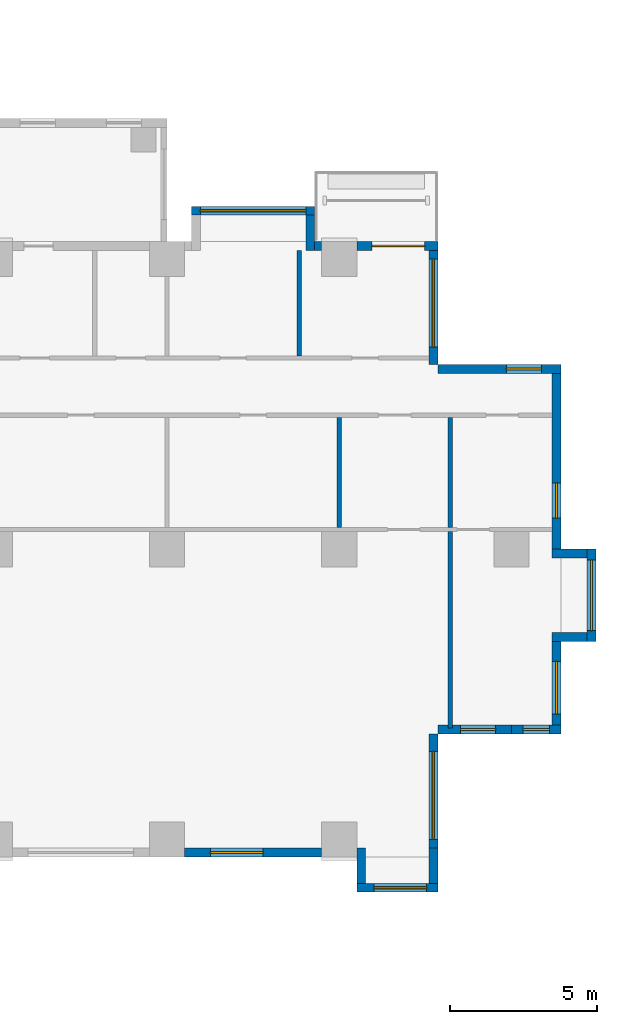
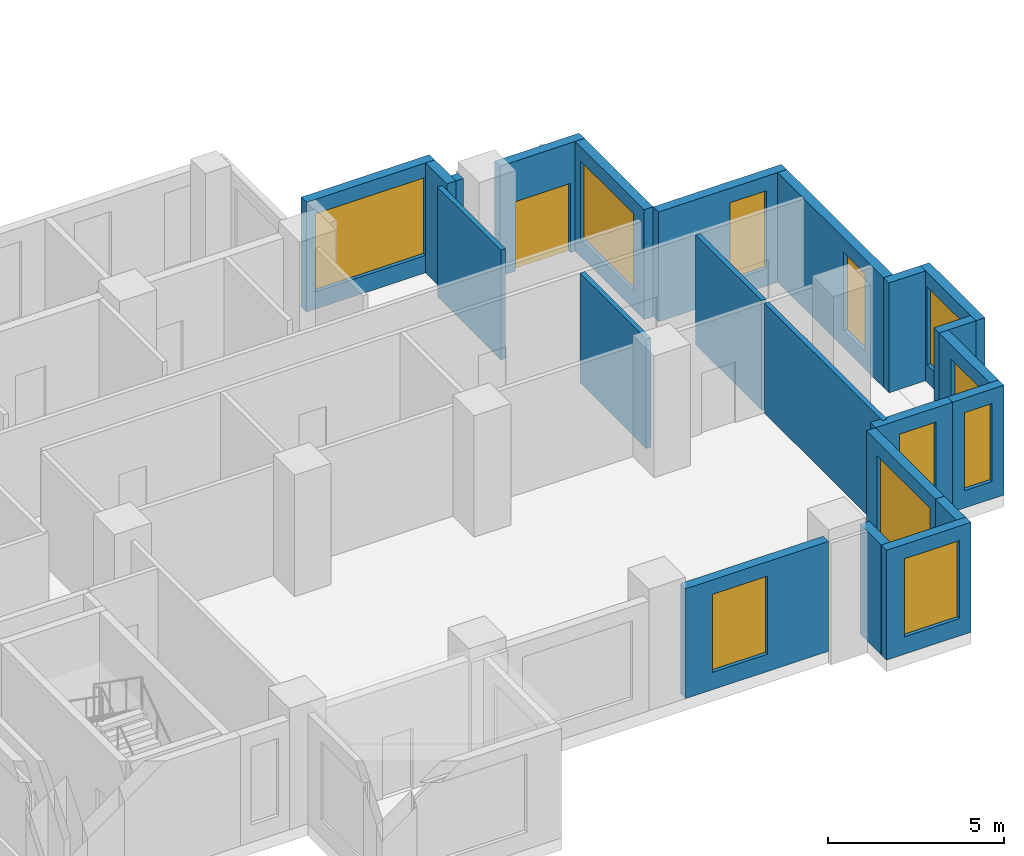
# One storey, part 11 of 17: 22 walls, 11 windows, 1 door, 12 openings.
"""IFC4 building model written with IfcOpenShell, lengths in metres."""

from ifc_helpers import new_model, si_unit, direction, frame, frame_2d, origin, place, context, subcontext, project, spatial, rectangle, extrude, source, transform, mapped, material, layer, layer_set, type_object, element, fill, save


model = new_model("IFC4")

# Units and contexts
model_context = context("Model", 3, precision=1e-05, world=origin(), true_north=direction((0.0, 1.0)))
body_context = subcontext(model_context, "Body", "Model", "MODEL_VIEW")
ifc_project = project(units=[si_unit("LENGTHUNIT", "METRE"), si_unit("AREAUNIT", "SQUARE_METRE"), si_unit("VOLUMEUNIT", "CUBIC_METRE"), si_unit("PLANEANGLEUNIT", "RADIAN"), si_unit("MASSUNIT", "GRAM", prefix="KILO")], contexts=[model_context])

# Site, building, storey
site_placement = place(None, origin())
site = spatial("IfcSite", under=ifc_project, at=site_placement, CompositionType="ELEMENT")
building_placement = place(site_placement, origin())
building = spatial("IfcBuilding", under=site, at=building_placement, Name="Aurelian Terraces", CompositionType="ELEMENT")
storey_placement = place(building_placement, frame((0.0, 0.0, 48.9)))
storey = spatial("IfcBuildingStorey", under=building, at=storey_placement, Name="L09", CompositionType="ELEMENT", Elevation=48.9)

# Wall, opening, window
ifc_material_1 = material(Name="Terracotta rainscreen cladding", Category="masonry")
ifc_layer_1 = layer(ifc_material_1, 0.3)
ifc_layer_set_1 = layer_set([ifc_layer_1], Name="EW-300")
wall_type_1 = type_object("IfcWallType", Name="EW-300", PredefinedType="STANDARD", material=ifc_layer_set_1)
shared_shape_1 = source(origin(), body_context, "Body", "SweptSolid", [
    extrude(rectangle(XDim=4.68, YDim=0.3, at=frame_2d((2.34, 0.0))), origin(), (0.0, 0.0, 1.0), 3.8),
])
wall_1_placement = place(storey_placement, frame((58.56, 0.15, 0.0), z_axis=(0.0, 0.0, 1.0), x_axis=(1.0, 0.0, 0.0)))
wall_1 = element("IfcWall", 1, at=wall_1_placement, inside=storey, type_object=wall_type_1, Name="External wall L09 F05.12", PredefinedType="STANDARD", context=body_context, shape_type="MappedRepresentation", body=[
    mapped(shared_shape_1, transform((0.0, 0.0, 0.0), scale=1.0)),
])
shared_shape_2 = source(origin(), body_context, "Body", "SweptSolid", [
    extrude(rectangle(XDim=1.8, YDim=2.7, at=frame_2d((0.9, 1.35))), frame((0.0, 0.16, 0.0), z_axis=(0.0, -1.0, 0.0), x_axis=(1.0, 0.0, 0.0)), (0.0, 0.0, 1.0), 0.32),
])
opening_1_placement = place(wall_1_placement, frame((0.8775, 0.0, 0.6)))
opening_1 = element("IfcOpeningElement", 2, at=opening_1_placement, cuts=wall_1, Name="Opening W1827", PredefinedType="OPENING", context=body_context, shape_type="MappedRepresentation", body=[
    mapped(shared_shape_2, transform((0.0, 0.0, 0.0), scale=1.0)),
])
ifc_material_2 = material(Name="Clear glazing", Category="glass")
window_type_1 = type_object("IfcWindowType", Name="W-1800x2700", PartitioningType="SINGLE_PANEL", PredefinedType="WINDOW", material=ifc_material_2)
shared_shape_3 = source(origin(), body_context, "Body", "SweptSolid", [
    extrude(rectangle(XDim=1.8, YDim=2.7, at=frame_2d((0.9, 1.35))), frame((0.0, 0.03, 0.0), z_axis=(0.0, -1.0, 0.0), x_axis=(1.0, 0.0, 0.0)), (0.0, 0.0, 1.0), 0.06),
])
window_1_placement = place(opening_1_placement, origin())
window_1 = element("IfcWindow", 3, at=window_1_placement, inside=storey, type_object=window_type_1, Name="Window L09 L09-F05-12-0", OverallHeight=2.7, OverallWidth=1.8, PartitioningType="SINGLE_PANEL", PredefinedType="WINDOW", context=body_context, shape_type="MappedRepresentation", body=[
    mapped(shared_shape_3, transform((0.0, 0.0, 0.0), scale=1.0)),
])
fill(opening_1, window_1)

shared_shape_4 = source(origin(), body_context, "Body", "SweptSolid", [
    extrude(rectangle(XDim=3.15, YDim=0.3, at=frame_2d((1.575, 0.0))), origin(), (0.0, 0.0, 1.0), 3.8),
])
wall_2_placement = place(storey_placement, frame((71.25, 4.2, 0.0), z_axis=(0.0, 0.0, 1.0), x_axis=(0.0, 1.0, 0.0)))
wall_2 = element("IfcWall", 4, at=wall_2_placement, inside=storey, type_object=wall_type_1, Name="External wall L09 F08.17", PredefinedType="STANDARD", context=body_context, shape_type="MappedRepresentation", body=[
    mapped(shared_shape_4, transform((0.0, 0.0, 0.0), scale=1.0)),
])
opening_2_placement = place(wall_2_placement, frame((0.675, 0.0, 0.6)))
opening_2 = element("IfcOpeningElement", 5, at=opening_2_placement, cuts=wall_2, Name="Opening W1827", PredefinedType="OPENING", context=body_context, shape_type="MappedRepresentation", body=[
    mapped(shared_shape_2, transform((0.0, 0.0, 0.0), scale=1.0)),
])
window_2_placement = place(opening_2_placement, origin())
window_2 = element("IfcWindow", 6, at=window_2_placement, inside=storey, type_object=window_type_1, Name="Window L09 L09-F08-17-0", OverallHeight=2.7, OverallWidth=1.8, PartitioningType="SINGLE_PANEL", PredefinedType="WINDOW", context=body_context, shape_type="MappedRepresentation", body=[
    mapped(shared_shape_3, transform((0.0, 0.0, 0.0), scale=1.0)),
])
fill(opening_2, window_2)

wall_3_placement = place(storey_placement, frame((72.45, 7.35, 0.0), z_axis=(0.0, 0.0, 1.0), x_axis=(0.0, 1.0, 0.0)))
wall_3 = element("IfcWall", 7, at=wall_3_placement, inside=storey, type_object=wall_type_1, Name="Bay wall L09 F08.18", PredefinedType="STANDARD", context=body_context, shape_type="MappedRepresentation", body=[
    mapped(shared_shape_4, transform((0.0, 0.0, 0.0), scale=1.0)),
])
shared_shape_5 = source(origin(), body_context, "Body", "SweptSolid", [
    extrude(rectangle(XDim=2.4, YDim=2.7, at=frame_2d((1.2, 1.35))), frame((0.0, 0.16, 0.0), z_axis=(0.0, -1.0, 0.0), x_axis=(1.0, 0.0, 0.0)), (0.0, 0.0, 1.0), 0.32),
])
opening_3_placement = place(wall_3_placement, frame((0.375, 0.0, 0.6)))
opening_3 = element("IfcOpeningElement", 8, at=opening_3_placement, cuts=wall_3, Name="Opening W2427", PredefinedType="OPENING", context=body_context, shape_type="MappedRepresentation", body=[
    mapped(shared_shape_5, transform((0.0, 0.0, 0.0), scale=1.0)),
])
window_type_2 = type_object("IfcWindowType", Name="W-2400x2700", PartitioningType="SINGLE_PANEL", PredefinedType="WINDOW", material=ifc_material_2)
shared_shape_6 = source(origin(), body_context, "Body", "SweptSolid", [
    extrude(rectangle(XDim=2.4, YDim=2.7, at=frame_2d((1.2, 1.35))), frame((0.0, 0.03, 0.0), z_axis=(0.0, -1.0, 0.0), x_axis=(1.0, 0.0, 0.0)), (0.0, 0.0, 1.0), 0.06),
])
window_3_placement = place(opening_3_placement, origin())
window_3 = element("IfcWindow", 9, at=window_3_placement, inside=storey, type_object=window_type_2, Name="Window L09 L09-F08-18-0", OverallHeight=2.7, OverallWidth=2.4, PartitioningType="SINGLE_PANEL", PredefinedType="WINDOW", context=body_context, shape_type="MappedRepresentation", body=[
    mapped(shared_shape_6, transform((0.0, 0.0, 0.0), scale=1.0)),
])
fill(opening_3, window_3)

shared_shape_7 = source(origin(), body_context, "Body", "SweptSolid", [
    extrude(rectangle(XDim=4.2, YDim=0.3, at=frame_2d((2.1, 0.0))), origin(), (0.0, 0.0, 1.0), 3.8),
])
wall_4_placement = place(storey_placement, frame((67.05, 0.0, 0.0), z_axis=(0.0, 0.0, 1.0), x_axis=(0.0, 1.0, 0.0)))
wall_4 = element("IfcWall", 10, at=wall_4_placement, inside=storey, type_object=wall_type_1, Name="External wall L09 F06.14", PredefinedType="STANDARD", context=body_context, shape_type="MappedRepresentation", body=[
    mapped(shared_shape_7, transform((0.0, 0.0, 0.0), scale=1.0)),
])
shared_shape_8 = source(origin(), body_context, "Body", "SweptSolid", [
    extrude(rectangle(XDim=3.0, YDim=2.7, at=frame_2d((1.5, 1.35))), frame((0.0, 0.16, 0.0), z_axis=(0.0, -1.0, 0.0), x_axis=(1.0, 0.0, 0.0)), (0.0, 0.0, 1.0), 0.32),
])
opening_4_placement = place(wall_4_placement, frame((0.6, 0.0, 0.6)))
opening_4 = element("IfcOpeningElement", 11, at=opening_4_placement, cuts=wall_4, Name="Opening W3027", PredefinedType="OPENING", context=body_context, shape_type="MappedRepresentation", body=[
    mapped(shared_shape_8, transform((0.0, 0.0, 0.0), scale=1.0)),
])
window_type_3 = type_object("IfcWindowType", Name="W-3000x2700", PartitioningType="SINGLE_PANEL", PredefinedType="WINDOW", material=ifc_material_2)
shared_shape_9 = source(origin(), body_context, "Body", "SweptSolid", [
    extrude(rectangle(XDim=3.0, YDim=2.7, at=frame_2d((1.5, 1.35))), frame((0.0, 0.03, 0.0), z_axis=(0.0, -1.0, 0.0), x_axis=(1.0, 0.0, 0.0)), (0.0, 0.0, 1.0), 0.06),
])
window_4_placement = place(opening_4_placement, origin())
window_4 = element("IfcWindow", 12, at=window_4_placement, inside=storey, type_object=window_type_3, Name="Window L09 L09-F06-14-0", OverallHeight=2.7, OverallWidth=3.0, PartitioningType="SINGLE_PANEL", PredefinedType="WINDOW", context=body_context, shape_type="MappedRepresentation", body=[
    mapped(shared_shape_9, transform((0.0, 0.0, 0.0), scale=1.0)),
])
fill(opening_4, window_4)

wall_5_placement = place(storey_placement, frame((71.4, 16.65, 0.0), z_axis=(0.0, 0.0, 1.0), x_axis=(-1.0, 0.0, 0.0)))
wall_5 = element("IfcWall", 13, at=wall_5_placement, inside=storey, type_object=wall_type_1, Name="External wall L09 F09.20", PredefinedType="STANDARD", context=body_context, shape_type="MappedRepresentation", body=[
    mapped(shared_shape_7, transform((0.0, 0.0, 0.0), scale=1.0)),
])
shared_shape_10 = source(origin(), body_context, "Body", "SweptSolid", [
    extrude(rectangle(XDim=1.2, YDim=2.7, at=frame_2d((0.6, 1.35))), frame((0.0, 0.16, 0.0), z_axis=(0.0, -1.0, 0.0), x_axis=(1.0, 0.0, 0.0)), (0.0, 0.0, 1.0), 0.32),
])
opening_5_placement = place(wall_5_placement, frame((0.66, 0.0, 0.6)))
opening_5 = element("IfcOpeningElement", 14, at=opening_5_placement, cuts=wall_5, Name="Opening W1227", PredefinedType="OPENING", context=body_context, shape_type="MappedRepresentation", body=[
    mapped(shared_shape_10, transform((0.0, 0.0, 0.0), scale=1.0)),
])
window_type_4 = type_object("IfcWindowType", Name="W-1200x2700", PartitioningType="SINGLE_PANEL", PredefinedType="WINDOW", material=ifc_material_2)
shared_shape_11 = source(origin(), body_context, "Body", "SweptSolid", [
    extrude(rectangle(XDim=1.2, YDim=2.7, at=frame_2d((0.6, 1.35))), frame((0.0, 0.03, 0.0), z_axis=(0.0, -1.0, 0.0), x_axis=(1.0, 0.0, 0.0)), (0.0, 0.0, 1.0), 0.06),
])
window_5_placement = place(opening_5_placement, origin())
window_5 = element("IfcWindow", 15, at=window_5_placement, inside=storey, type_object=window_type_4, Name="Window L09 L09-F09-20-0", OverallHeight=2.7, OverallWidth=1.2, PartitioningType="SINGLE_PANEL", PredefinedType="WINDOW", context=body_context, shape_type="MappedRepresentation", body=[
    mapped(shared_shape_11, transform((0.0, 0.0, 0.0), scale=1.0)),
])
fill(opening_5, window_5)

wall_6_placement = place(storey_placement, frame((67.05, 16.8, 0.0), z_axis=(0.0, 0.0, 1.0), x_axis=(0.0, 1.0, 0.0)))
wall_6 = element("IfcWall", 16, at=wall_6_placement, inside=storey, type_object=wall_type_1, Name="External wall L09 F10.21", PredefinedType="STANDARD", context=body_context, shape_type="MappedRepresentation", body=[
    mapped(shared_shape_7, transform((0.0, 0.0, 0.0), scale=1.0)),
])
opening_6_placement = place(wall_6_placement, frame((0.6, 0.0, 0.6)))
opening_6 = element("IfcOpeningElement", 17, at=opening_6_placement, cuts=wall_6, Name="Opening W3027", PredefinedType="OPENING", context=body_context, shape_type="MappedRepresentation", body=[
    mapped(shared_shape_8, transform((0.0, 0.0, 0.0), scale=1.0)),
])
window_6_placement = place(opening_6_placement, origin())
window_6 = element("IfcWindow", 18, at=window_6_placement, inside=storey, type_object=window_type_3, Name="Window L09 L09-F10-21-0", OverallHeight=2.7, OverallWidth=3.0, PartitioningType="SINGLE_PANEL", PredefinedType="WINDOW", context=body_context, shape_type="MappedRepresentation", body=[
    mapped(shared_shape_9, transform((0.0, 0.0, 0.0), scale=1.0)),
])
fill(opening_6, window_6)

wall_7_placement = place(storey_placement, frame((63.0, 22.05, 0.0), z_axis=(0.0, 0.0, 1.0), x_axis=(-1.0, 0.0, 0.0)))
wall_7 = element("IfcWall", 19, at=wall_7_placement, inside=storey, type_object=wall_type_1, Name="Bay wall L09 F11.23", PredefinedType="STANDARD", context=body_context, shape_type="MappedRepresentation", body=[
    mapped(shared_shape_7, transform((0.0, 0.0, 0.0), scale=1.0)),
])
shared_shape_12 = source(origin(), body_context, "Body", "SweptSolid", [
    extrude(rectangle(XDim=3.6, YDim=2.7, at=frame_2d((1.8, 1.35))), frame((0.0, 0.16, 0.0), z_axis=(0.0, -1.0, 0.0), x_axis=(1.0, 0.0, 0.0)), (0.0, 0.0, 1.0), 0.32),
])
opening_7_placement = place(wall_7_placement, frame((0.3, 0.0, 0.6)))
opening_7 = element("IfcOpeningElement", 20, at=opening_7_placement, cuts=wall_7, Name="Opening W3627", PredefinedType="OPENING", context=body_context, shape_type="MappedRepresentation", body=[
    mapped(shared_shape_12, transform((0.0, 0.0, 0.0), scale=1.0)),
])
window_type_5 = type_object("IfcWindowType", Name="W-3600x2700", PartitioningType="SINGLE_PANEL", PredefinedType="WINDOW", material=ifc_material_2)
shared_shape_13 = source(origin(), body_context, "Body", "SweptSolid", [
    extrude(rectangle(XDim=3.6, YDim=2.7, at=frame_2d((1.8, 1.35))), frame((0.0, 0.03, 0.0), z_axis=(0.0, -1.0, 0.0), x_axis=(1.0, 0.0, 0.0)), (0.0, 0.0, 1.0), 0.06),
])
window_7_placement = place(opening_7_placement, origin())
window_7 = element("IfcWindow", 21, at=window_7_placement, inside=storey, type_object=window_type_5, Name="Window L09 L09-F11-23-0", OverallHeight=2.7, OverallWidth=3.6, PartitioningType="SINGLE_PANEL", PredefinedType="WINDOW", context=body_context, shape_type="MappedRepresentation", body=[
    mapped(shared_shape_13, transform((0.0, 0.0, 0.0), scale=1.0)),
])
fill(opening_7, window_7)

shared_shape_14 = source(origin(), body_context, "Body", "SweptSolid", [
    extrude(rectangle(XDim=2.76, YDim=0.3, at=frame_2d((1.38, 0.0))), origin(), (0.0, 0.0, 1.0), 3.8),
])
wall_8_placement = place(storey_placement, frame((64.44, -1.05, 0.0), z_axis=(0.0, 0.0, 1.0), x_axis=(1.0, 0.0, 0.0)))
wall_8 = element("IfcWall", 22, at=wall_8_placement, inside=storey, type_object=wall_type_1, Name="Bay wall L09 F05.13", PredefinedType="STANDARD", context=body_context, shape_type="MappedRepresentation", body=[
    mapped(shared_shape_14, transform((0.0, 0.0, 0.0), scale=1.0)),
])
opening_8_placement = place(wall_8_placement, frame((0.58, 0.0, 0.6)))
opening_8 = element("IfcOpeningElement", 23, at=opening_8_placement, cuts=wall_8, Name="Opening W1827", PredefinedType="OPENING", context=body_context, shape_type="MappedRepresentation", body=[
    mapped(shared_shape_2, transform((0.0, 0.0, 0.0), scale=1.0)),
])
window_8_placement = place(opening_8_placement, origin())
window_8 = element("IfcWindow", 24, at=window_8_placement, inside=storey, type_object=window_type_1, Name="Window L09 L09-F05-13-0", OverallHeight=2.7, OverallWidth=1.8, PartitioningType="SINGLE_PANEL", PredefinedType="WINDOW", context=body_context, shape_type="MappedRepresentation", body=[
    mapped(shared_shape_3, transform((0.0, 0.0, 0.0), scale=1.0)),
])
fill(opening_8, window_8)

# Wall, opening, door
wall_9_placement = place(storey_placement, frame((67.2, 20.85, 0.0), z_axis=(0.0, 0.0, 1.0), x_axis=(-1.0, 0.0, 0.0)))
wall_9 = element("IfcWall", 25, at=wall_9_placement, inside=storey, type_object=wall_type_1, Name="External wall L09 F11.22", PredefinedType="STANDARD", context=body_context, shape_type="MappedRepresentation", body=[
    mapped(shared_shape_14, transform((0.0, 0.0, 0.0), scale=1.0)),
])
shared_shape_15 = source(origin(), body_context, "Body", "SweptSolid", [
    extrude(rectangle(XDim=1.8, YDim=2.4, at=frame_2d((0.9, 1.2))), frame((0.0, 0.16, 0.0), z_axis=(0.0, -1.0, 0.0), x_axis=(1.0, 0.0, 0.0)), (0.0, 0.0, 1.0), 0.32),
])
opening_9_placement = place(wall_9_placement, frame((0.45, 0.0, 0.0)))
opening_9 = element("IfcOpeningElement", 26, at=opening_9_placement, cuts=wall_9, Name="Opening 80904", PredefinedType="OPENING", context=body_context, shape_type="MappedRepresentation", body=[
    mapped(shared_shape_15, transform((0.0, 0.0, 0.0), scale=1.0)),
])
door_type = type_object("IfcDoorType", Name="BD-1800x2400", OperationType="SLIDING_TO_LEFT", PredefinedType="DOOR", material=ifc_material_2)
shared_shape_16 = source(origin(), body_context, "Body", "SweptSolid", [
    extrude(rectangle(XDim=1.8, YDim=2.4, at=frame_2d((0.9, 1.2))), frame((0.0, 0.025, 0.0), z_axis=(0.0, -1.0, 0.0), x_axis=(1.0, 0.0, 0.0)), (0.0, 0.0, 1.0), 0.05),
])
door_placement = place(opening_9_placement, origin())
door = element("IfcDoor", 27, at=door_placement, inside=storey, type_object=door_type, Name="Balcony door L09 F11.22", OperationType="SLIDING_TO_LEFT", OverallHeight=2.4, OverallWidth=1.8, PredefinedType="DOOR", context=body_context, shape_type="MappedRepresentation", body=[
    mapped(shared_shape_16, transform((0.0, 0.0, 0.0), scale=1.0)),
])
fill(opening_9, door)

# Walls
shared_shape_17 = source(origin(), body_context, "Body", "SweptSolid", [
    extrude(rectangle(XDim=1.2, YDim=0.3, at=frame_2d((0.6, 0.0))), origin(), (0.0, 0.0, 1.0), 3.8),
])
for number, where, z_axis, x_axis, name in (
    (28, (64.59, 0.3, 0.0), (0.0, 0.0, 1.0), (0.0, -1.0, 0.0), "Bay return L09 F05.13.1"),
    (29, (67.05, 0.3, 0.0), (0.0, 0.0, 1.0), (0.0, -1.0, 0.0), "Bay return L09 F05.13.2"),
    (30, (71.1, 7.5, 0.0), (0.0, 0.0, 1.0), (1.0, 0.0, 0.0), "Bay return L09 F08.18.1"),
    (31, (71.1, 10.35, 0.0), (0.0, 0.0, 1.0), (1.0, 0.0, 0.0), "Bay return L09 F08.18.2"),
    (32, (62.85, 20.7, 0.0), (0.0, 0.0, 1.0), (0.0, 1.0, 0.0), "Bay return L09 F11.23.1"),
):
    element("IfcWall", number, at=place(storey_placement, frame(where, z_axis=z_axis, x_axis=x_axis)), inside=storey, type_object=wall_type_1, Name=name, PredefinedType="STANDARD", context=body_context, shape_type="MappedRepresentation", body=[
        mapped(shared_shape_17, transform((0.0, 0.0, 0.0), scale=1.0)),
    ])
shared_shape_18 = source(origin(), body_context, "Body", "SweptSolid", [
    extrude(rectangle(XDim=0.24, YDim=0.3, at=frame_2d((0.12, 0.0))), origin(), (0.0, 0.0, 1.0), 3.8),
])
wall_10_placement = place(storey_placement, frame((63.24, 20.85, 0.0), z_axis=(0.0, 0.0, 1.0), x_axis=(-1.0, 0.0, 0.0)))
element("IfcWall", 33, at=wall_10_placement, inside=storey, type_object=wall_type_1, Name="External wall L09 F11.22", PredefinedType="STANDARD", context=body_context, shape_type="MappedRepresentation", body=[
    mapped(shared_shape_18, transform((0.0, 0.0, 0.0), scale=1.0)),
])

# Wall, opening, window
shared_shape_19 = source(origin(), body_context, "Body", "SweptSolid", [
    extrude(rectangle(XDim=2.52, YDim=0.3, at=frame_2d((1.26, 0.0))), origin(), (0.0, 0.0, 1.0), 3.8),
])
wall_11_placement = place(storey_placement, frame((67.2, 4.35, 0.0), z_axis=(0.0, 0.0, 1.0), x_axis=(1.0, 0.0, 0.0)))
wall_11 = element("IfcWall", 34, at=wall_11_placement, inside=storey, type_object=wall_type_1, Name="External wall L09 F07.15", PredefinedType="STANDARD", context=body_context, shape_type="MappedRepresentation", body=[
    mapped(shared_shape_19, transform((0.0, 0.0, 0.0), scale=1.0)),
])
opening_10_placement = place(wall_11_placement, frame((0.7775, 0.0, 0.6)))
opening_10 = element("IfcOpeningElement", 35, at=opening_10_placement, cuts=wall_11, Name="Opening W1227", PredefinedType="OPENING", context=body_context, shape_type="MappedRepresentation", body=[
    mapped(shared_shape_10, transform((0.0, 0.0, 0.0), scale=1.0)),
])
window_9_placement = place(opening_10_placement, origin())
window_9 = element("IfcWindow", 36, at=window_9_placement, inside=storey, type_object=window_type_4, Name="Window L09 L09-F07-15-P0", OverallHeight=2.7, OverallWidth=1.2, PartitioningType="SINGLE_PANEL", PredefinedType="WINDOW", context=body_context, shape_type="MappedRepresentation", body=[
    mapped(shared_shape_11, transform((0.0, 0.0, 0.0), scale=1.0)),
])
fill(opening_10, window_9)

shared_shape_20 = source(origin(), body_context, "Body", "SweptSolid", [
    extrude(rectangle(XDim=1.68, YDim=0.3, at=frame_2d((0.84, 0.0))), origin(), (0.0, 0.0, 1.0), 3.8),
])
wall_12_placement = place(storey_placement, frame((69.72, 4.35, 0.0), z_axis=(0.0, 0.0, 1.0), x_axis=(1.0, 0.0, 0.0)))
wall_12 = element("IfcWall", 37, at=wall_12_placement, inside=storey, type_object=wall_type_1, Name="External wall L09 F07.16", PredefinedType="STANDARD", context=body_context, shape_type="MappedRepresentation", body=[
    mapped(shared_shape_20, transform((0.0, 0.0, 0.0), scale=1.0)),
])
shared_shape_21 = source(origin(), body_context, "Body", "SweptSolid", [
    extrude(rectangle(XDim=0.9, YDim=2.7, at=frame_2d((0.45, 1.35))), frame((0.0, 0.16, 0.0), z_axis=(0.0, -1.0, 0.0), x_axis=(1.0, 0.0, 0.0)), (0.0, 0.0, 1.0), 0.32),
])
opening_11_placement = place(wall_12_placement, frame((0.39, 0.0, 0.6)))
opening_11 = element("IfcOpeningElement", 38, at=opening_11_placement, cuts=wall_12, Name="Opening W0927", PredefinedType="OPENING", context=body_context, shape_type="MappedRepresentation", body=[
    mapped(shared_shape_21, transform((0.0, 0.0, 0.0), scale=1.0)),
])
window_type_6 = type_object("IfcWindowType", Name="W-900x2700", PartitioningType="SINGLE_PANEL", PredefinedType="WINDOW", material=ifc_material_2)
shared_shape_22 = source(origin(), body_context, "Body", "SweptSolid", [
    extrude(rectangle(XDim=0.9, YDim=2.7, at=frame_2d((0.45, 1.35))), frame((0.0, 0.03, 0.0), z_axis=(0.0, -1.0, 0.0), x_axis=(1.0, 0.0, 0.0)), (0.0, 0.0, 1.0), 0.06),
])
window_10_placement = place(opening_11_placement, origin())
window_10 = element("IfcWindow", 39, at=window_10_placement, inside=storey, type_object=window_type_6, Name="Window L09 L09-F07-16-P0", OverallHeight=2.7, OverallWidth=0.9, PartitioningType="SINGLE_PANEL", PredefinedType="WINDOW", context=body_context, shape_type="MappedRepresentation", body=[
    mapped(shared_shape_22, transform((0.0, 0.0, 0.0), scale=1.0)),
])
fill(opening_11, window_10)

shared_shape_23 = source(origin(), body_context, "Body", "SweptSolid", [
    extrude(rectangle(XDim=6.3, YDim=0.3, at=frame_2d((3.15, 0.0))), origin(), (0.0, 0.0, 1.0), 3.8),
])
wall_13_placement = place(storey_placement, frame((71.25, 10.5, 0.0), z_axis=(0.0, 0.0, 1.0), x_axis=(0.0, 1.0, 0.0)))
wall_13 = element("IfcWall", 40, at=wall_13_placement, inside=storey, type_object=wall_type_1, Name="External wall L09 F08.19", PredefinedType="STANDARD", context=body_context, shape_type="MappedRepresentation", body=[
    mapped(shared_shape_23, transform((0.0, 0.0, 0.0), scale=1.0)),
])
opening_12_placement = place(wall_13_placement, frame((1.0625, 0.0, 0.6)))
opening_12 = element("IfcOpeningElement", 41, at=opening_12_placement, cuts=wall_13, Name="Opening W1227", PredefinedType="OPENING", context=body_context, shape_type="MappedRepresentation", body=[
    mapped(shared_shape_10, transform((0.0, 0.0, 0.0), scale=1.0)),
])
window_11_placement = place(opening_12_placement, origin())
window_11 = element("IfcWindow", 42, at=window_11_placement, inside=storey, type_object=window_type_4, Name="Window L09 L09-F08-19-0", OverallHeight=2.7, OverallWidth=1.2, PartitioningType="SINGLE_PANEL", PredefinedType="WINDOW", context=body_context, shape_type="MappedRepresentation", body=[
    mapped(shared_shape_11, transform((0.0, 0.0, 0.0), scale=1.0)),
])
fill(opening_12, window_11)

# Walls
ifc_material_3 = material(Name="Gypsum board on steel studs", Category="steel")
ifc_layer_2 = layer(ifc_material_3, 0.15)
ifc_layer_set_2 = layer_set([ifc_layer_2], Name="Partition 150")
wall_type_2 = type_object("IfcWallType", Name="Partition 150", PredefinedType="PARTITIONING", material=ifc_layer_set_2)
shared_shape_24 = source(origin(), body_context, "Body", "SweptSolid", [
    extrude(rectangle(XDim=3.75, YDim=0.15, at=frame_2d((1.875, 0.0))), origin(), (0.0, 0.0, 1.0), 3.8),
])
for number, where, z_axis, x_axis, name in (
    (43, (63.84, 11.25, 0.0), (0.0, 0.0, 1.0), (0.0, 1.0, 0.0), "Partition"),
    (44, (67.62, 11.25, 0.0), (0.0, 0.0, 1.0), (0.0, 1.0, 0.0), "Partition"),
):
    element("IfcWall", number, at=place(storey_placement, frame(where, z_axis=z_axis, x_axis=x_axis)), inside=storey, type_object=wall_type_2, Name=name, PredefinedType="PARTITIONING", context=body_context, shape_type="MappedRepresentation", body=[
        mapped(shared_shape_24, transform((0.0, 0.0, 0.0), scale=1.0)),
    ])
shared_shape_25 = source(origin(), body_context, "Body", "SweptSolid", [
    extrude(rectangle(XDim=3.6, YDim=0.15, at=frame_2d((1.8, 0.0))), origin(), (0.0, 0.0, 1.0), 3.8),
])
wall_14_placement = place(storey_placement, frame((62.4675, 20.7, 0.0), z_axis=(0.0, 0.0, 1.0), x_axis=(0.0, -1.0, 0.0)))
element("IfcWall", 45, at=wall_14_placement, inside=storey, type_object=wall_type_2, Name="Partition", PredefinedType="PARTITIONING", context=body_context, shape_type="MappedRepresentation", body=[
    mapped(shared_shape_25, transform((0.0, 0.0, 0.0), scale=1.0)),
])
shared_shape_26 = source(origin(), body_context, "Body", "SweptSolid", [
    extrude(rectangle(XDim=6.695, YDim=0.15, at=frame_2d((3.3475, 0.0))), origin(), (0.0, 0.0, 1.0), 3.8),
])
wall_15_placement = place(storey_placement, frame((67.62, 4.405, 0.0), z_axis=(0.0, 0.0, 1.0), x_axis=(0.0, 1.0, 0.0)))
element("IfcWall", 46, at=wall_15_placement, inside=storey, type_object=wall_type_2, Name="Partition", PredefinedType="PARTITIONING", context=body_context, shape_type="MappedRepresentation", body=[
    mapped(shared_shape_26, transform((0.0, 0.0, 0.0), scale=1.0)),
])

save(model, "model.ifc")
